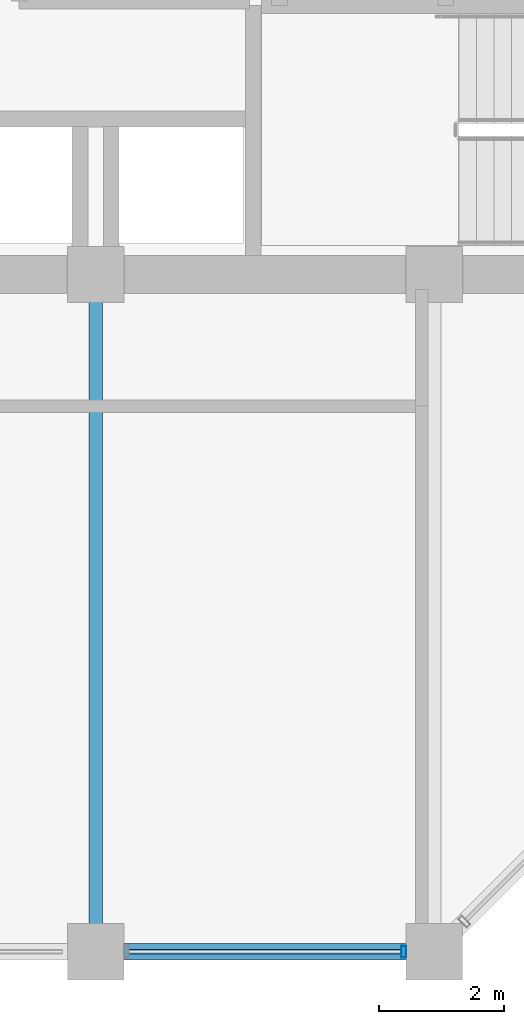
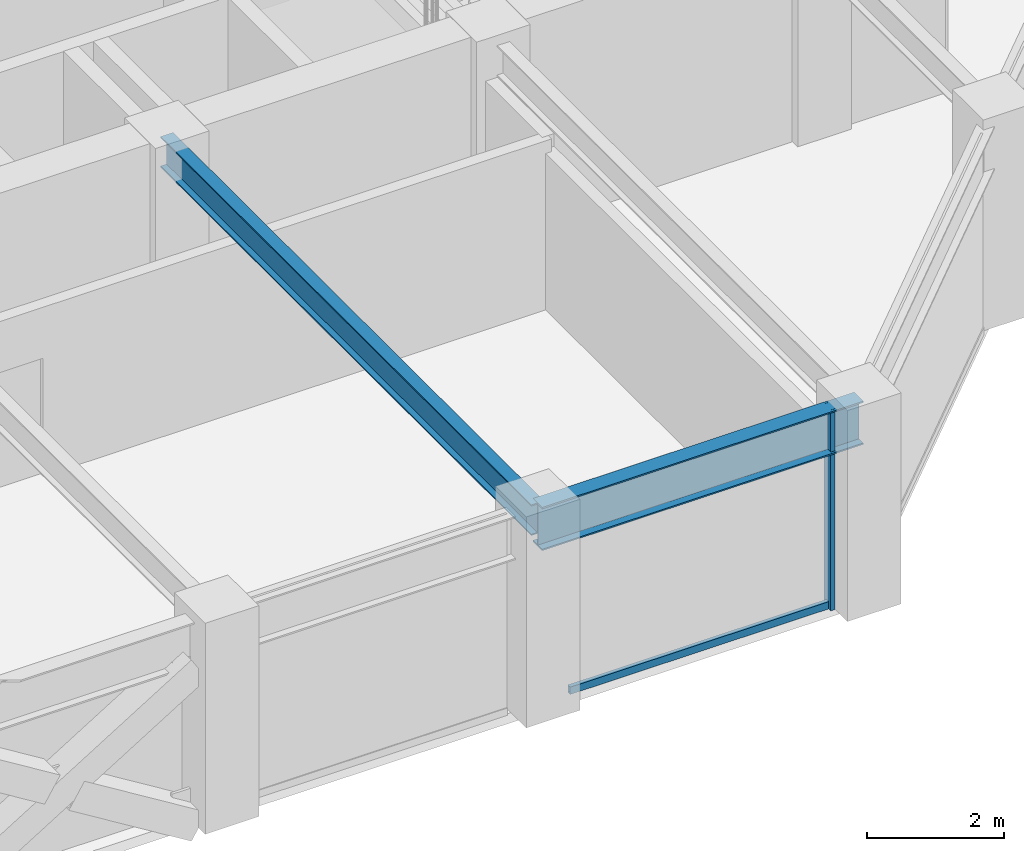
# One storey, part 7 of 32: 2 beams, 2 members, 1 element without a shape of its own.
"""IFC4 building model written with IfcOpenShell, lengths in metres."""

import ifcopenshell
import ifcopenshell.guid

model = None  # the IFC model being written
_history = None  # IfcOwnerHistory: only IFC2X3 demands one
_inside = {}  # id of a spatial element -> (the spatial element, [elements in it])
_under = {}  # id of a project, library or spatial element -> (it, [spatial elements below it])
_declared = {}  # id of a project -> (the project, [libraries it declares])
_typed = {}  # id of a type object -> (the type object, [elements of that type])
_made_of = {}  # id of a material, layer set ... -> (it, [elements and type objects made of it])


def new_model(schema):
    """Start an empty IFC model of exactly this schema.

    Asked for "IFC4X3", IfcOpenShell would pick the latest addendum, in which some entities
    have other attributes; the version numbers below select the first issue.
    IFC2X3 requires an IfcOwnerHistory on every rooted entity: one is made here for all.
    """
    global model, _history
    if schema == "IFC4X3":
        model = ifcopenshell.file(schema_version=(4, 3, 0, 0))
    else:
        model = ifcopenshell.file(schema=schema)
    _inside.clear()
    _under.clear()
    _declared.clear()
    _typed.clear()
    _made_of.clear()
    _history = None
    if model.schema == "IFC2X3":
        org = make("IfcOrganization", Name="unknown")
        user = make(
            "IfcPersonAndOrganization",
            ThePerson=make("IfcPerson", FamilyName="unknown"),
            TheOrganization=org,
        )
        app = make(
            "IfcApplication",
            ApplicationDeveloper=org,
            Version="unknown",
            ApplicationFullName="unknown",
            ApplicationIdentifier="unknown",
        )
        _history = make(
            "IfcOwnerHistory",
            OwningUser=user,
            OwningApplication=app,
            ChangeAction="ADDED",
            CreationDate=0,
        )
    return model


def make(cls, **values):
    """One entity of the class cls with the attributes given. An attribute that is None is left unset."""
    return model.create_entity(
        cls, **{name: value for name, value in values.items() if value is not None}
    )


def rooted(cls, **values):
    """An entity with a GlobalId (a new one), such as an element, a storey or a relation."""
    return make(cls, GlobalId=ifcopenshell.guid.new(), OwnerHistory=_history, **values)


def si_unit(unit_type, name, prefix=None):
    """IfcSIUnit, for example si_unit("LENGTHUNIT", "METRE", prefix="MILLI")."""
    return make("IfcSIUnit", UnitType=unit_type, Prefix=prefix, Name=name)


def assignment(units):
    """IfcUnitAssignment: the units of a project."""
    return None if units is None else make("IfcUnitAssignment", Units=units)


def point(xyz):
    """IfcCartesianPoint."""
    return None if xyz is None else make("IfcCartesianPoint", Coordinates=xyz)


def direction(xyz):
    """IfcDirection."""
    return None if xyz is None else make("IfcDirection", DirectionRatios=xyz)


def frame(location, z_axis=None, x_axis=None):
    """IfcAxis2Placement3D, a coordinate frame: its origin and axes. An axis left out is left unset."""
    return make(
        "IfcAxis2Placement3D",
        Location=point(location),
        Axis=direction(z_axis),
        RefDirection=direction(x_axis),
    )


def frame_2d(location, x_axis=None):
    """IfcAxis2Placement2D, a coordinate frame in the plane: its origin and x axis."""
    return make(
        "IfcAxis2Placement2D", Location=point(location), RefDirection=direction(x_axis)
    )


def origin():
    """The frame at (0, 0, 0) with its axes left unset."""
    return frame((0.0, 0.0, 0.0))


def origin_2d():
    """The frame at (0, 0) in the plane with its x axis left unset."""
    return frame_2d((0.0, 0.0))


def place(relative_to, where):
    """IfcLocalPlacement: puts the frame where relative to a parent placement (None: the world)."""
    return make(
        "IfcLocalPlacement", PlacementRelTo=relative_to, RelativePlacement=where
    )


def context(
    kind, dimensions, precision=None, world=None, true_north=None, identifier=None
):
    """IfcGeometricRepresentationContext, for example the 3D "Model" context."""
    return make(
        "IfcGeometricRepresentationContext",
        ContextIdentifier=identifier,
        ContextType=kind,
        CoordinateSpaceDimension=dimensions,
        Precision=precision,
        WorldCoordinateSystem=world,
        TrueNorth=true_north,
    )


def subcontext(parent, identifier, kind, view, scale=None):
    """IfcGeometricRepresentationSubContext, for example "Body" below "Model"."""
    return make(
        "IfcGeometricRepresentationSubContext",
        ContextIdentifier=identifier,
        ContextType=kind,
        ParentContext=parent,
        TargetScale=scale,
        TargetView=view,
    )


def project(units=None, contexts=None):
    """IfcProject with its units and contexts."""
    return rooted(
        "IfcProject",
        Name="project",
        RepresentationContexts=contexts,
        UnitsInContext=assignment(units),
    )


def spatial(cls, under=None, at=None, **own):
    """A site, building, storey or space (cls), placed at a placement, below another one or the project."""
    s = rooted(cls, ObjectPlacement=at, **own)
    if under is not None:
        _under.setdefault(under.id(), (under, []))[1].append(s)
    return s


def profile(cls, at=None, kind="AREA", **sizes):
    """A parametric profile (cls). Its sizes go by their IFC names, for example OverallWidth=200.0."""
    return make(cls, ProfileType=kind, Position=at, **sizes)


def hollow_rectangle(**sizes):
    """IfcRectangleHollowProfileDef."""
    return profile("IfcRectangleHollowProfileDef", **sizes)


def i_section(**sizes):
    """IfcIShapeProfileDef."""
    return profile("IfcIShapeProfileDef", **sizes)


def extrude(swept, where, along, depth):
    """IfcExtrudedAreaSolid: the profile swept, set in the frame where, extruded along a direction by depth."""
    return make(
        "IfcExtrudedAreaSolid",
        SweptArea=swept,
        Position=where,
        ExtrudedDirection=direction(along),
        Depth=depth,
    )


def shape(context_of_items, identifier, shape_type, items):
    """IfcShapeRepresentation: the items that make up one representation, for example the "Body"."""
    return make(
        "IfcShapeRepresentation",
        ContextOfItems=context_of_items,
        RepresentationIdentifier=identifier,
        RepresentationType=shape_type,
        Items=items,
    )


def material(Name=None, Category=None):
    """IfcMaterial."""
    return make("IfcMaterial", Name=Name, Category=Category)


def layer(
    of_material, thickness, ventilated=None, Name=None, Category=None, Priority=None
):
    """IfcMaterialLayer: one layer of a wall or slab, of a material (None: an air gap)."""
    return make(
        "IfcMaterialLayer",
        Material=of_material,
        LayerThickness=thickness,
        IsVentilated=ventilated,
        Name=Name,
        Category=Category,
        Priority=Priority,
    )


def layer_set(layers, Name=None):
    """IfcMaterialLayerSet."""
    return make("IfcMaterialLayerSet", MaterialLayers=layers, LayerSetName=Name)


def material_profile(
    of_material, cross_section, Name=None, Category=None, Priority=None
):
    """IfcMaterialProfile: a cross section and its material."""
    return make(
        "IfcMaterialProfile",
        Name=Name,
        Material=of_material,
        Profile=cross_section,
        Priority=Priority,
        Category=Category,
    )


def profile_set(profiles, Name=None, composite=None):
    """IfcMaterialProfileSet."""
    return make(
        "IfcMaterialProfileSet",
        Name=Name,
        MaterialProfiles=profiles,
        CompositeProfile=composite,
    )


def made_of(thing, what):
    """Note that an element or type object is made of a material, layer set ...; save() writes the relation."""
    if what is not None:
        _made_of.setdefault(what.id(), (what, []))[1].append(thing)
    return thing


def type_object(cls, material=None, **own):
    """A type object (cls), such as IfcWallType, which elements share."""
    return made_of(rooted(cls, **own), material)


def element(
    cls,
    number,
    at=None,
    inside=None,
    cuts=None,
    type_object=None,
    material=None,
    context=None,
    identifier="Body",
    shape_type=None,
    held_by="IfcProductDefinitionShape",
    body=None,
    shapes=None,
    **own,
):
    """One element of the class cls, such as IfcWall. Its Tag is "e" and its number.

    at: its placement. inside: the storey or other place that contains it. cuts: it is an
    opening in that element (IfcRelVoidsElement). A single representation is given by context,
    identifier, shape_type and body (its items); several are given by shapes. held_by: the class
    of the entity that holds the representations. save() writes the other relations.
    """
    e = rooted(cls, Tag="e%d" % number, ObjectPlacement=at, **own)
    if body is not None:
        shapes = [shape(context, identifier, shape_type, body)]
    if shapes is not None:
        e.Representation = make(held_by, Representations=shapes)
    if inside is not None:
        _inside.setdefault(inside.id(), (inside, []))[1].append(e)
    if cuts is not None:
        rooted(
            "IfcRelVoidsElement", RelatingBuildingElement=cuts, RelatedOpeningElement=e
        )
    if type_object is not None:
        _typed.setdefault(type_object.id(), (type_object, []))[1].append(e)
    return made_of(e, material)


def aggregate(whole, parts):
    """IfcRelAggregates: a whole, such as a stair, and the parts it consists of."""
    return rooted("IfcRelAggregates", RelatingObject=whole, RelatedObjects=parts)


def save(model, path):
    """Write the relations noted so far, then the file.

    IfcRelAggregates (storeys below a building ...), IfcRelContainedInSpatialStructure (elements
    in a storey), IfcRelDefinesByType, IfcRelAssociatesMaterial and IfcRelDeclares: one each for
    every whole, place, type object, material and project.
    """
    for whole, parts in _under.values():
        aggregate(whole, parts)
    for where, things in _inside.values():
        rooted(
            "IfcRelContainedInSpatialStructure",
            RelatedElements=things,
            RelatingStructure=where,
        )
    for kind, things in _typed.values():
        rooted("IfcRelDefinesByType", RelatedObjects=things, RelatingType=kind)
    for what, things in _made_of.values():
        rooted("IfcRelAssociatesMaterial", RelatedObjects=things, RelatingMaterial=what)
    for by, libraries in _declared.values():
        rooted("IfcRelDeclares", RelatingContext=by, RelatedDefinitions=libraries)
    model.write(path)


model = new_model("IFC4")

# Units and contexts
model_context = context("Model", 3, precision=1e-05, world=origin(), true_north=direction((0.0, 1.0)))
body_context = subcontext(model_context, "Body", "Model", "MODEL_VIEW")
ifc_project = project(units=[si_unit("LENGTHUNIT", "METRE"), si_unit("AREAUNIT", "SQUARE_METRE"), si_unit("VOLUMEUNIT", "CUBIC_METRE"), si_unit("PLANEANGLEUNIT", "RADIAN"), si_unit("MASSUNIT", "GRAM", prefix="KILO")], contexts=[model_context])

# Site, building, storey
site_placement = place(None, origin())
site = spatial("IfcSite", under=ifc_project, at=site_placement, CompositionType="ELEMENT")
building_placement = place(site_placement, origin())
building = spatial("IfcBuilding", under=site, at=building_placement, Name="Surkhivell Harbour Commons", CompositionType="ELEMENT")
storey_placement = place(building_placement, frame((0.0, 0.0, 197.25)))
storey = spatial("IfcBuildingStorey", under=building, at=storey_placement, Name="L51", CompositionType="ELEMENT", Elevation=197.25)

# Beams
ifc_material_1 = material(Name="Steel S355", Category="steel")
ifc_material_profile_1 = material_profile(ifc_material_1, i_section(OverallWidth=0.2119140625, OverallDepth=0.5439453125, WebThickness=0.0126953125, FlangeThickness=0.021240234375, at=origin_2d()), Name="UB533x210x122")
ifc_profile_set_1 = profile_set([ifc_material_profile_1], Name="Steel S355")
beam_type_1 = type_object("IfcBeamType", Name="BM-GRD-533A", PredefinedType="BEAM", material=ifc_profile_set_1)
beam_1_placement = place(storey_placement, frame((0.0, -21.60009765625, 3.298095703125), z_axis=(0.0, 1.0, 0.0), x_axis=(-1.0, 0.0, 0.0)))
element("IfcBeam", 1, at=beam_1_placement, inside=storey, type_object=beam_type_1, Name="L51 Floor Girder (0.0,-21.6)", PredefinedType="BEAM", context=body_context, shape_type="SweptSolid", body=[
    extrude(i_section(OverallWidth=0.2119140625, OverallDepth=0.5439453125, WebThickness=0.0126953125, FlangeThickness=0.021240234375, at=origin_2d()), origin(), (0.0, 0.0, 1.0), 10.800048828125),
])
ifc_material_profile_2 = material_profile(ifc_material_1, i_section(OverallWidth=0.26806640625, OverallDepth=0.77001953125, WebThickness=0.015625, FlangeThickness=0.025390625, at=origin_2d()), Name="UB762x267x197")
ifc_profile_set_2 = profile_set([ifc_material_profile_2], Name="Steel S355")
beam_type_2 = type_object("IfcBeamType", Name="BM-SPN-762", PredefinedType="SPANDREL", material=ifc_profile_set_2)
beam_2_placement = place(storey_placement, frame((0.0, -21.60009765625, 3.18505859375), z_axis=(1.0, 0.0, 0.0), x_axis=(0.0, 1.0, 0.0)))
element("IfcBeam", 2, at=beam_2_placement, inside=storey, type_object=beam_type_2, Name="L51 Tube Spandrel (-0.0,-21.6)", PredefinedType="SPANDREL", context=body_context, shape_type="SweptSolid", body=[
    extrude(i_section(OverallWidth=0.26806640625, OverallDepth=0.77001953125, WebThickness=0.015625, FlangeThickness=0.025390625, at=origin_2d()), origin(), (0.0, 0.0, 1.0), 5.39990234375),
])

# Curtain wall, members
ifc_material_2 = material(Name="Anodised pale-metal aluminium and insulated glazing", Category="aluminium")
ifc_layer = layer(ifc_material_2, 0.18994140625)
ifc_layer_set = layer_set([ifc_layer], Name="Anodised pale-metal aluminium and insulated glazing")
curtain_wall_type = type_object("IfcCurtainWallType", Name="CW-SYS-Z3", PredefinedType="NOTDEFINED", material=ifc_layer_set)
curtain_wall_placement = place(storey_placement, origin())
curtain_wall = element("IfcCurtainWall", 3, at=curtain_wall_placement, inside=storey, type_object=curtain_wall_type, Name="L51 Curtain Wall CW-L51-E00S2", PredefinedType="NOTDEFINED")
ifc_material_3 = material(Name="Anodised pale-metal aluminium alloy 6063-T6", Category="aluminium")
ifc_material_profile_3 = material_profile(ifc_material_3, hollow_rectangle(XDim=0.074951171875, YDim=0.18994140625, WallThickness=0.00390625, at=origin_2d()), Name="ALU-MULL-75x190")
ifc_profile_set_3 = profile_set([ifc_material_profile_3], Name="Anodised pale-metal aluminium alloy 6063-T6")
member_type_1 = type_object("IfcMemberType", Name="CWM-190", PredefinedType="MULLION", material=ifc_profile_set_3)
member_1_placement = place(storey_placement, frame((4.910400390625, -21.60009765625, 0.0), z_axis=(0.0, 0.0, 1.0), x_axis=(1.0, 0.0, 0.0)))
member_1 = element("IfcMember", 4, at=member_1_placement, type_object=member_type_1, Name="CW-Z3 mullion 3", PredefinedType="MULLION", context=body_context, shape_type="SweptSolid", body=[
    extrude(hollow_rectangle(XDim=0.074951171875, YDim=0.18994140625, WallThickness=0.00390625, at=origin_2d()), origin(), (0.0, 0.0, 1.0), 3.570068359375),
])
ifc_material_4 = material(Name="Champagne anodised aluminium alloy 6063-T6", Category="aluminium")
ifc_material_profile_4 = material_profile(ifc_material_4, hollow_rectangle(XDim=0.070068359375, YDim=0.1298828125, WallThickness=0.00341796875, at=origin_2d()), Name="ALU-TRAN-70x130")
ifc_profile_set_4 = profile_set([ifc_material_profile_4], Name="Champagne anodised aluminium alloy 6063-T6")
member_type_2 = type_object("IfcMemberType", Name="CWT-130", PredefinedType="USERDEFINED", material=ifc_profile_set_4)
member_2_placement = place(storey_placement, frame((0.527099609375, -21.60009765625, 0.06494140625), z_axis=(1.0, 0.0, 0.0), x_axis=(0.0, 1.0, 0.0)))
member_2 = element("IfcMember", 5, at=member_2_placement, type_object=member_type_2, Name="CW-Z3 transom 2.1", ObjectType="TRANSOM", PredefinedType="USERDEFINED", context=body_context, shape_type="SweptSolid", body=[
    extrude(hollow_rectangle(XDim=0.070068359375, YDim=0.1298828125, WallThickness=0.00341796875, at=origin_2d()), origin(), (0.0, 0.0, 1.0), 4.345947265625),
])
aggregate(curtain_wall, [member_1, member_2])

save(model, "model.ifc")
